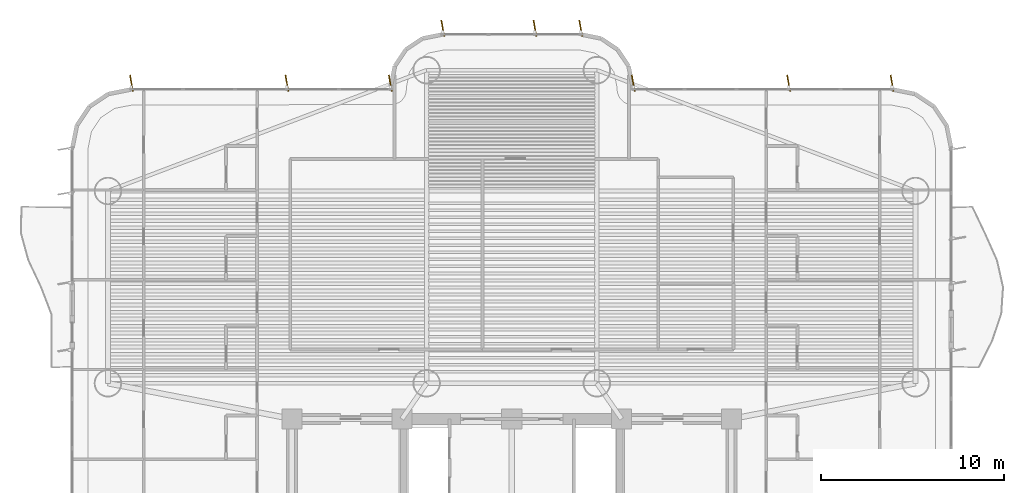
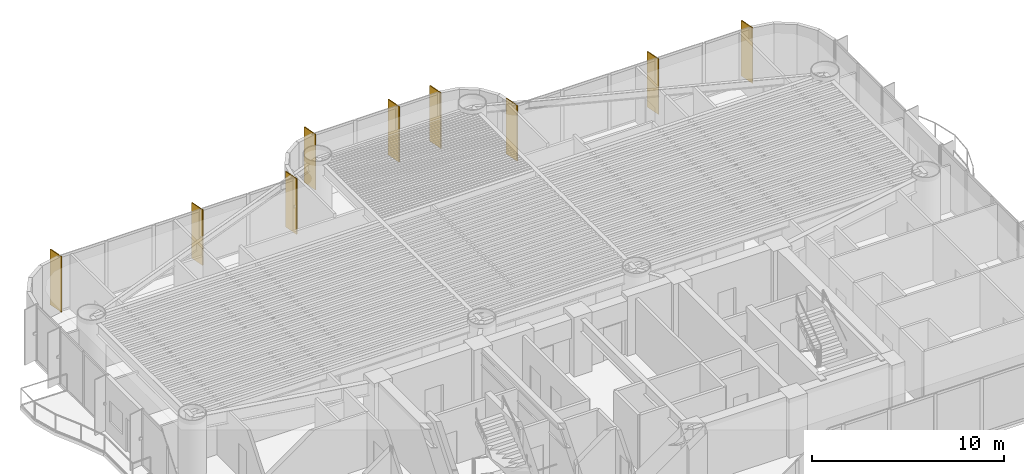
# One storey, part 19 of 19: 9 shading devices.
"""IFC4 building model written with IfcOpenShell, lengths in metres."""

from ifc_helpers import new_model, si_unit, direction, frame, origin, origin_2d, place, context, subcontext, project, spatial, rectangle, extrude, source, transform, mapped, material, material_profile, profile_set, type_object, element, save


model = new_model("IFC4")

# Units and contexts
model_context = context("Model", 3, precision=1e-05, world=origin(), true_north=direction((0.0, 1.0)))
body_context = subcontext(model_context, "Body", "Model", "MODEL_VIEW")
ifc_project = project(units=[si_unit("LENGTHUNIT", "METRE"), si_unit("AREAUNIT", "SQUARE_METRE"), si_unit("VOLUMEUNIT", "CUBIC_METRE"), si_unit("PLANEANGLEUNIT", "RADIAN"), si_unit("MASSUNIT", "GRAM", prefix="KILO")], contexts=[model_context])

# Site, building, storey
site_placement = place(None, origin())
site = spatial("IfcSite", under=ifc_project, at=site_placement, CompositionType="ELEMENT")
building_placement = place(site_placement, origin())
building = spatial("IfcBuilding", under=site, at=building_placement, Name="Brelvock Crest Care Tower", CompositionType="ELEMENT")
storey_placement = place(building_placement, frame((0.0, 0.0, 68.580078125)))
storey = spatial("IfcBuildingStorey", under=building, at=storey_placement, Name="L17", CompositionType="ELEMENT", Elevation=68.580078125)

# Shading devices
ifc_material = material(Name="Aluminium 6063-T6", Category="aluminium")
ifc_material_profile = material_profile(ifc_material, rectangle(XDim=0.054931640625, YDim=0.89990234375, at=origin_2d()), Name="FIN55x900")
ifc_profile_set = profile_set([ifc_material_profile], Name="Aluminium 6063-T6")
shading_device_type = type_object("IfcShadingDeviceType", Name="SHD-FIN1", PredefinedType="USERDEFINED", material=ifc_profile_set)
shared_shape = source(origin(), body_context, "Body", "SweptSolid", [
    extrude(rectangle(XDim=0.054931640625, YDim=0.89990234375, at=origin_2d()), origin(), (0.0, 0.0, 1.0), 3.530029296875),
])
for number, where, z_axis, x_axis, name in (
    (1, (15.232421875, 36.340087890625, 0.0), (0.0, 0.0, 1.0), (0.984807753012, 0.173648177667, 0.0), "L17 Vertical Sunshade Fin E18-01"),
    (2, (23.719970703125, 36.340087890625, 0.0), (0.0, 0.0, 1.0), (0.984807753012, 0.173648177667, 0.0), "L17 Vertical Sunshade Fin E18-04"),
    (3, (29.367431640625, 36.340087890625, 0.0), (0.0, 0.0, 1.0), (0.984807753012, 0.173648177667, 0.0), "L17 Vertical Sunshade Fin E18-06"),
    (4, (32.232421875, 39.340087890625, 0.0), (0.0, 0.0, 1.0), (0.984807753012, 0.173648177667, 0.0), "L17 Vertical Sunshade Fin E24-01"),
    (5, (37.2666015625, 39.340087890625, 0.0), (0.0, 0.0, 1.0), (0.984807753012, 0.173648177667, 0.0), "L17 Vertical Sunshade Fin E24-03"),
    (6, (39.767578125, 39.340087890625, 0.0), (0.0, 0.0, 1.0), (0.984807753012, 0.173648177667, 0.0), "L17 Vertical Sunshade Fin E24-04"),
    (7, (42.632568359375, 36.340087890625, 0.0), (0.0, 0.0, 1.0), (0.984807753012, 0.173648177667, 0.0), "L17 Vertical Sunshade Fin E30-01"),
    (8, (51.1201171875, 36.340087890625, 0.0), (0.0, 0.0, 1.0), (0.984807753012, 0.173648177667, 0.0), "L17 Vertical Sunshade Fin E30-04"),
    (9, (56.767578125, 36.340087890625, 0.0), (0.0, 0.0, 1.0), (0.984807753012, 0.173648177667, 0.0), "L17 Vertical Sunshade Fin E30-06"),
):
    element("IfcShadingDevice", number, at=place(storey_placement, frame(where, z_axis=z_axis, x_axis=x_axis)), inside=storey, type_object=shading_device_type, Name=name, ObjectType="FIN", PredefinedType="USERDEFINED", context=body_context, shape_type="MappedRepresentation", body=[
        mapped(shared_shape, transform((0.0, 0.0, 0.0), x_axis=(1.0, 0.0, 0.0), y_axis=(0.0, 1.0, 0.0), z_axis=(0.0, 0.0, 1.0), scale=1.0)),
    ])

save(model, "model.ifc")
